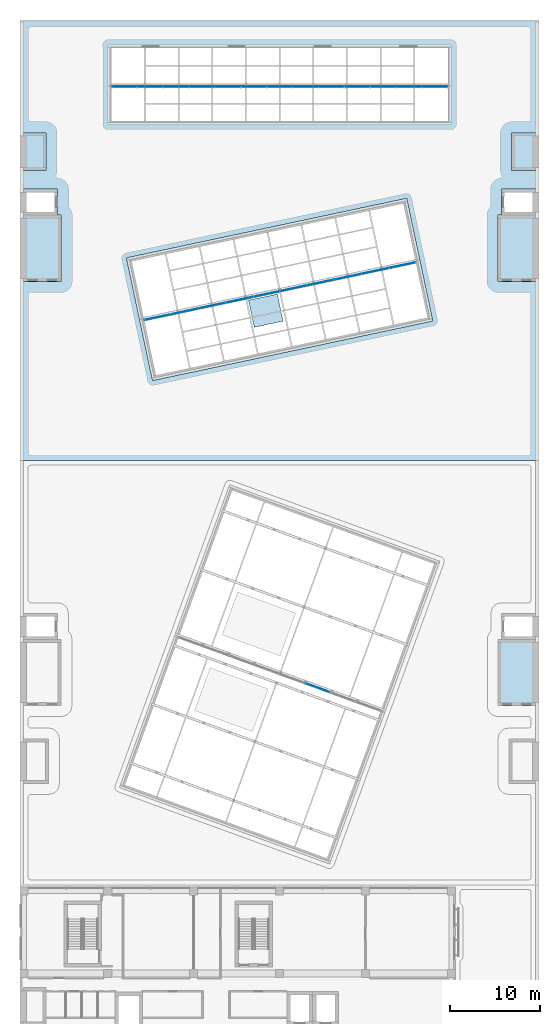
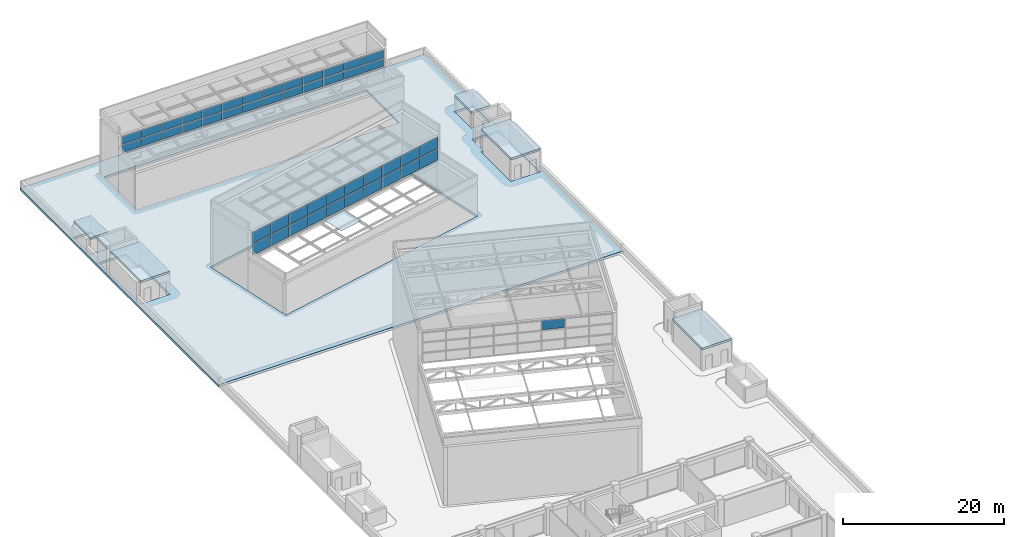
# One storey, part 57 of 72: 48 plates, 6 slabs, 3 elements without a shape of their own.
"""IFC4 building model written with IfcOpenShell, lengths in metres."""

from ifc_helpers import new_model, si_unit, direction, frame, origin, origin_2d, place, context, subcontext, project, spatial, polyline, rectangle, outline, extrude, material, layer, layer_set, type_object, element, aggregate, save


model = new_model("IFC4")

# Units and contexts
model_context = context("Model", 3, precision=1e-05, world=origin(), true_north=direction((0.0, 1.0)))
body_context = subcontext(model_context, "Body", "Model", "MODEL_VIEW")
ifc_project = project(units=[si_unit("LENGTHUNIT", "METRE"), si_unit("AREAUNIT", "SQUARE_METRE"), si_unit("VOLUMEUNIT", "CUBIC_METRE"), si_unit("PLANEANGLEUNIT", "RADIAN"), si_unit("MASSUNIT", "GRAM", prefix="KILO")], contexts=[model_context])

# Site, building, storey
site_placement = place(None, origin())
site = spatial("IfcSite", under=ifc_project, at=site_placement, CompositionType="ELEMENT")
building_placement = place(site_placement, origin())
building = spatial("IfcBuilding", under=site, at=building_placement, Name="Nzadi Deep Aquarium and Research Tower", CompositionType="ELEMENT")
storey_placement = place(building_placement, frame((0.0, 0.0, 31.89990234375)))
storey = spatial("IfcBuildingStorey", under=building, at=storey_placement, Name="L05", CompositionType="ELEMENT", Elevation=31.89990234375)

# Curtain wall, plate
ifc_material_1 = material(Name="Aluminium glazing frame tall", Category="aluminium")
ifc_layer_1 = layer(ifc_material_1, 0.199951171875)
ifc_layer_set_1 = layer_set([ifc_layer_1], Name="Aluminium glazing frame tall")
curtain_wall_type = type_object("IfcCurtainWallType", Name="Curtain wall Clerestory Tall 200", PredefinedType="NOTDEFINED", material=ifc_layer_set_1)
curtain_wall_1_placement = place(storey_placement, origin())
curtain_wall_1 = element("IfcCurtainWall", 1, at=curtain_wall_1_placement, inside=storey, type_object=curtain_wall_type, Name="Prism clerestory glazing", PredefinedType="NOTDEFINED")
ifc_material_2 = material(Name="Glass, clear low-iron", Category="glass")
ifc_layer_2 = layer(ifc_material_2, 0.035888671875)
ifc_layer_set_2 = layer_set([ifc_layer_2], Name="Glass, clear low-iron")
plate_type_1 = type_object("IfcPlateType", Name="Glazing panel 36 Clerestory Tall", PredefinedType="CURTAIN_PANEL", material=ifc_layer_set_2)
plate_1_placement = place(storey_placement, frame((33.045654296875, 68.7080078125, 12.29296875), z_axis=(0.0, 0.0, 1.0), x_axis=(0.939692620786, -0.342020143326, 0.0)))
plate_1 = element("IfcPlate", 2, at=plate_1_placement, type_object=plate_type_1, Name="CW257 panel 6.3", PredefinedType="CURTAIN_PANEL", context=body_context, shape_type="SweptSolid", body=[
    extrude(rectangle(XDim=2.919921875, YDim=0.035888671875, at=origin_2d()), origin(), (0.0, 0.0, 1.0), 1.386962890625),
])
aggregate(curtain_wall_1, [plate_1])

# Curtain wall, plates
curtain_wall_2_placement = place(storey_placement, origin())
curtain_wall_2 = element("IfcCurtainWall", 3, at=curtain_wall_2_placement, inside=storey, type_object=curtain_wall_type, Name="Reef blade clerestory glazing", PredefinedType="NOTDEFINED")
plate_2_placement = place(storey_placement, frame((15.216064453125, 110.108154296875, 5.22021484375), z_axis=(0.0, 0.0, 1.0), x_axis=(0.978147600734, 0.207911690818, 0.0)))
plate_2 = element("IfcPlate", 4, at=plate_2_placement, type_object=plate_type_1, Name="CW258 panel 1.1", PredefinedType="CURTAIN_PANEL", context=body_context, shape_type="SweptSolid", body=[
    extrude(rectangle(XDim=2.97998046875, YDim=0.035888671875, at=origin_2d()), origin(), (0.0, 0.0, 1.0), 1.669921875),
])
plate_3_placement = place(storey_placement, frame((15.216064453125, 110.108154296875, 7.01025390625), z_axis=(0.0, 0.0, 1.0), x_axis=(0.978147600734, 0.207911690818, 0.0)))
plate_3 = element("IfcPlate", 5, at=plate_3_placement, type_object=plate_type_1, Name="CW258 panel 1.2", PredefinedType="CURTAIN_PANEL", context=body_context, shape_type="SweptSolid", body=[
    extrude(rectangle(XDim=2.97998046875, YDim=0.035888671875, at=origin_2d()), origin(), (0.0, 0.0, 1.0), 1.669921875),
])
plate_4_placement = place(storey_placement, frame((18.228759765625, 110.74853515625, 5.22021484375), z_axis=(0.0, 0.0, 1.0), x_axis=(0.978147600734, 0.207911690818, 0.0)))
plate_4 = element("IfcPlate", 6, at=plate_4_placement, type_object=plate_type_1, Name="CW258 panel 2.1", PredefinedType="CURTAIN_PANEL", context=body_context, shape_type="SweptSolid", body=[
    extrude(rectangle(XDim=3.02001953125, YDim=0.035888671875, at=origin_2d()), origin(), (0.0, 0.0, 1.0), 1.669921875),
])
plate_5_placement = place(storey_placement, frame((18.228759765625, 110.74853515625, 7.01025390625), z_axis=(0.0, 0.0, 1.0), x_axis=(0.978147600734, 0.207911690818, 0.0)))
plate_5 = element("IfcPlate", 7, at=plate_5_placement, type_object=plate_type_1, Name="CW258 panel 2.2", PredefinedType="CURTAIN_PANEL", context=body_context, shape_type="SweptSolid", body=[
    extrude(rectangle(XDim=3.02001953125, YDim=0.035888671875, at=origin_2d()), origin(), (0.0, 0.0, 1.0), 1.669921875),
])
plate_6_placement = place(storey_placement, frame((21.260986328125, 111.39306640625, 5.22021484375), z_axis=(0.0, 0.0, 1.0), x_axis=(0.978147600734, 0.207911690818, 0.0)))
plate_6 = element("IfcPlate", 8, at=plate_6_placement, type_object=plate_type_1, Name="CW258 panel 3.1", PredefinedType="CURTAIN_PANEL", context=body_context, shape_type="SweptSolid", body=[
    extrude(rectangle(XDim=3.02001953125, YDim=0.035888671875, at=origin_2d()), origin(), (0.0, 0.0, 1.0), 1.669921875),
])
plate_7_placement = place(storey_placement, frame((21.260986328125, 111.39306640625, 7.01025390625), z_axis=(0.0, 0.0, 1.0), x_axis=(0.978147600734, 0.207911690818, 0.0)))
plate_7 = element("IfcPlate", 9, at=plate_7_placement, type_object=plate_type_1, Name="CW258 panel 3.2", PredefinedType="CURTAIN_PANEL", context=body_context, shape_type="SweptSolid", body=[
    extrude(rectangle(XDim=3.02001953125, YDim=0.035888671875, at=origin_2d()), origin(), (0.0, 0.0, 1.0), 1.669921875),
])
plate_8_placement = place(storey_placement, frame((24.293212890625, 112.03759765625, 5.22021484375), z_axis=(0.0, 0.0, 1.0), x_axis=(0.978147600734, 0.207911690818, 0.0)))
plate_8 = element("IfcPlate", 10, at=plate_8_placement, type_object=plate_type_1, Name="CW258 panel 4.1", PredefinedType="CURTAIN_PANEL", context=body_context, shape_type="SweptSolid", body=[
    extrude(rectangle(XDim=3.02001953125, YDim=0.035888671875, at=origin_2d()), origin(), (0.0, 0.0, 1.0), 1.669921875),
])
plate_9_placement = place(storey_placement, frame((24.293212890625, 112.03759765625, 7.01025390625), z_axis=(0.0, 0.0, 1.0), x_axis=(0.978147600734, 0.207911690818, 0.0)))
plate_9 = element("IfcPlate", 11, at=plate_9_placement, type_object=plate_type_1, Name="CW258 panel 4.2", PredefinedType="CURTAIN_PANEL", context=body_context, shape_type="SweptSolid", body=[
    extrude(rectangle(XDim=3.02001953125, YDim=0.035888671875, at=origin_2d()), origin(), (0.0, 0.0, 1.0), 1.669921875),
])
plate_10_placement = place(storey_placement, frame((27.325439453125, 112.68212890625, 5.22021484375), z_axis=(0.0, 0.0, 1.0), x_axis=(0.978147600734, 0.207911690818, 0.0)))
plate_10 = element("IfcPlate", 12, at=plate_10_placement, type_object=plate_type_1, Name="CW258 panel 5.1", PredefinedType="CURTAIN_PANEL", context=body_context, shape_type="SweptSolid", body=[
    extrude(rectangle(XDim=3.02001953125, YDim=0.035888671875, at=origin_2d()), origin(), (0.0, 0.0, 1.0), 1.669921875),
])
plate_11_placement = place(storey_placement, frame((27.325439453125, 112.68212890625, 7.01025390625), z_axis=(0.0, 0.0, 1.0), x_axis=(0.978147600734, 0.207911690818, 0.0)))
plate_11 = element("IfcPlate", 13, at=plate_11_placement, type_object=plate_type_1, Name="CW258 panel 5.2", PredefinedType="CURTAIN_PANEL", context=body_context, shape_type="SweptSolid", body=[
    extrude(rectangle(XDim=3.02001953125, YDim=0.035888671875, at=origin_2d()), origin(), (0.0, 0.0, 1.0), 1.669921875),
])
plate_12_placement = place(storey_placement, frame((30.357666015625, 113.32666015625, 5.22021484375), z_axis=(0.0, 0.0, 1.0), x_axis=(0.978147600734, 0.207911690818, 0.0)))
plate_12 = element("IfcPlate", 14, at=plate_12_placement, type_object=plate_type_1, Name="CW258 panel 6.1", PredefinedType="CURTAIN_PANEL", context=body_context, shape_type="SweptSolid", body=[
    extrude(rectangle(XDim=3.02001953125, YDim=0.035888671875, at=origin_2d()), origin(), (0.0, 0.0, 1.0), 1.669921875),
])
plate_13_placement = place(storey_placement, frame((30.357666015625, 113.32666015625, 7.01025390625), z_axis=(0.0, 0.0, 1.0), x_axis=(0.978147600734, 0.207911690818, 0.0)))
plate_13 = element("IfcPlate", 15, at=plate_13_placement, type_object=plate_type_1, Name="CW258 panel 6.2", PredefinedType="CURTAIN_PANEL", context=body_context, shape_type="SweptSolid", body=[
    extrude(rectangle(XDim=3.02001953125, YDim=0.035888671875, at=origin_2d()), origin(), (0.0, 0.0, 1.0), 1.669921875),
])
plate_14_placement = place(storey_placement, frame((33.389892578125, 113.97119140625, 5.22021484375), z_axis=(0.0, 0.0, 1.0), x_axis=(0.978147600734, 0.207911690818, 0.0)))
plate_14 = element("IfcPlate", 16, at=plate_14_placement, type_object=plate_type_1, Name="CW258 panel 7.1", PredefinedType="CURTAIN_PANEL", context=body_context, shape_type="SweptSolid", body=[
    extrude(rectangle(XDim=3.02001953125, YDim=0.035888671875, at=origin_2d()), origin(), (0.0, 0.0, 1.0), 1.669921875),
])
plate_15_placement = place(storey_placement, frame((33.389892578125, 113.97119140625, 7.01025390625), z_axis=(0.0, 0.0, 1.0), x_axis=(0.978147600734, 0.207911690818, 0.0)))
plate_15 = element("IfcPlate", 17, at=plate_15_placement, type_object=plate_type_1, Name="CW258 panel 7.2", PredefinedType="CURTAIN_PANEL", context=body_context, shape_type="SweptSolid", body=[
    extrude(rectangle(XDim=3.02001953125, YDim=0.035888671875, at=origin_2d()), origin(), (0.0, 0.0, 1.0), 1.669921875),
])
plate_16_placement = place(storey_placement, frame((36.422119140625, 114.61572265625, 5.22021484375), z_axis=(0.0, 0.0, 1.0), x_axis=(0.978147600734, 0.207911690818, 0.0)))
plate_16 = element("IfcPlate", 18, at=plate_16_placement, type_object=plate_type_1, Name="CW258 panel 8.1", PredefinedType="CURTAIN_PANEL", context=body_context, shape_type="SweptSolid", body=[
    extrude(rectangle(XDim=3.02001953125, YDim=0.035888671875, at=origin_2d()), origin(), (0.0, 0.0, 1.0), 1.669921875),
])
plate_17_placement = place(storey_placement, frame((36.422119140625, 114.61572265625, 7.01025390625), z_axis=(0.0, 0.0, 1.0), x_axis=(0.978147600734, 0.207911690818, 0.0)))
plate_17 = element("IfcPlate", 19, at=plate_17_placement, type_object=plate_type_1, Name="CW258 panel 8.2", PredefinedType="CURTAIN_PANEL", context=body_context, shape_type="SweptSolid", body=[
    extrude(rectangle(XDim=3.02001953125, YDim=0.035888671875, at=origin_2d()), origin(), (0.0, 0.0, 1.0), 1.669921875),
])
plate_18_placement = place(storey_placement, frame((39.45458984375, 115.26025390625, 5.22021484375), z_axis=(0.0, 0.0, 1.0), x_axis=(0.978147600734, 0.207911690818, 0.0)))
plate_18 = element("IfcPlate", 20, at=plate_18_placement, type_object=plate_type_1, Name="CW258 panel 9.1", PredefinedType="CURTAIN_PANEL", context=body_context, shape_type="SweptSolid", body=[
    extrude(rectangle(XDim=3.02001953125, YDim=0.035888671875, at=origin_2d()), origin(), (0.0, 0.0, 1.0), 1.669921875),
])
plate_19_placement = place(storey_placement, frame((39.45458984375, 115.26025390625, 7.01025390625), z_axis=(0.0, 0.0, 1.0), x_axis=(0.978147600734, 0.207911690818, 0.0)))
plate_19 = element("IfcPlate", 21, at=plate_19_placement, type_object=plate_type_1, Name="CW258 panel 9.2", PredefinedType="CURTAIN_PANEL", context=body_context, shape_type="SweptSolid", body=[
    extrude(rectangle(XDim=3.02001953125, YDim=0.035888671875, at=origin_2d()), origin(), (0.0, 0.0, 1.0), 1.669921875),
])
plate_20_placement = place(storey_placement, frame((42.46728515625, 115.900634765625, 5.22021484375), z_axis=(0.0, 0.0, 1.0), x_axis=(0.978147600734, 0.207911690818, 0.0)))
plate_20 = element("IfcPlate", 22, at=plate_20_placement, type_object=plate_type_1, Name="CW258 panel 10.1", PredefinedType="CURTAIN_PANEL", context=body_context, shape_type="SweptSolid", body=[
    extrude(rectangle(XDim=2.97998046875, YDim=0.035888671875, at=origin_2d()), origin(), (0.0, 0.0, 1.0), 1.669921875),
])
plate_21_placement = place(storey_placement, frame((42.46728515625, 115.900634765625, 7.01025390625), z_axis=(0.0, 0.0, 1.0), x_axis=(0.978147600734, 0.207911690818, 0.0)))
plate_21 = element("IfcPlate", 23, at=plate_21_placement, type_object=plate_type_1, Name="CW258 panel 10.2", PredefinedType="CURTAIN_PANEL", context=body_context, shape_type="SweptSolid", body=[
    extrude(rectangle(XDim=2.97998046875, YDim=0.035888671875, at=origin_2d()), origin(), (0.0, 0.0, 1.0), 1.669921875),
])
aggregate(curtain_wall_2, [plate_2, plate_3, plate_4, plate_5, plate_6, plate_7, plate_8, plate_9, plate_10, plate_11, plate_12, plate_13, plate_14, plate_15, plate_16, plate_17, plate_18, plate_19, plate_20, plate_21])

curtain_wall_3_placement = place(storey_placement, origin())
curtain_wall_3 = element("IfcCurtainWall", 24, at=curtain_wall_3_placement, inside=storey, type_object=curtain_wall_type, Name="Events hall clerestory glazing", PredefinedType="NOTDEFINED")
plate_22_placement = place(storey_placement, frame((11.466064453125, 135.860107421875, 6.22021484375), z_axis=(0.0, 0.0, 1.0), x_axis=(1.0, 0.0, 0.0)))
plate_22 = element("IfcPlate", 25, at=plate_22_placement, type_object=plate_type_1, Name="CW259 panel 1.1", PredefinedType="CURTAIN_PANEL", context=body_context, shape_type="SweptSolid", body=[
    extrude(rectangle(XDim=2.772216796875, YDim=0.035888671875, at=origin_2d()), origin(), (0.0, 0.0, 1.0), 1.169921875),
])
plate_23_placement = place(storey_placement, frame((11.466064453125, 135.860107421875, 7.51025390625), z_axis=(0.0, 0.0, 1.0), x_axis=(1.0, 0.0, 0.0)))
plate_23 = element("IfcPlate", 26, at=plate_23_placement, type_object=plate_type_1, Name="CW259 panel 1.2", PredefinedType="CURTAIN_PANEL", context=body_context, shape_type="SweptSolid", body=[
    extrude(rectangle(XDim=2.772216796875, YDim=0.035888671875, at=origin_2d()), origin(), (0.0, 0.0, 1.0), 1.169921875),
])
plate_24_placement = place(storey_placement, frame((14.33837890625, 135.860107421875, 6.22021484375), z_axis=(0.0, 0.0, 1.0), x_axis=(1.0, 0.0, 0.0)))
plate_24 = element("IfcPlate", 27, at=plate_24_placement, type_object=plate_type_1, Name="CW259 panel 2.1", PredefinedType="CURTAIN_PANEL", context=body_context, shape_type="SweptSolid", body=[
    extrude(rectangle(XDim=2.812255859375, YDim=0.035888671875, at=origin_2d()), origin(), (0.0, 0.0, 1.0), 1.169921875),
])
plate_25_placement = place(storey_placement, frame((14.33837890625, 135.860107421875, 7.51025390625), z_axis=(0.0, 0.0, 1.0), x_axis=(1.0, 0.0, 0.0)))
plate_25 = element("IfcPlate", 28, at=plate_25_placement, type_object=plate_type_1, Name="CW259 panel 2.2", PredefinedType="CURTAIN_PANEL", context=body_context, shape_type="SweptSolid", body=[
    extrude(rectangle(XDim=2.812255859375, YDim=0.035888671875, at=origin_2d()), origin(), (0.0, 0.0, 1.0), 1.169921875),
])
plate_26_placement = place(storey_placement, frame((17.230712890625, 135.860107421875, 6.22021484375), z_axis=(0.0, 0.0, 1.0), x_axis=(1.0, 0.0, 0.0)))
plate_26 = element("IfcPlate", 29, at=plate_26_placement, type_object=plate_type_1, Name="CW259 panel 3.1", PredefinedType="CURTAIN_PANEL", context=body_context, shape_type="SweptSolid", body=[
    extrude(rectangle(XDim=2.812255859375, YDim=0.035888671875, at=origin_2d()), origin(), (0.0, 0.0, 1.0), 1.169921875),
])
plate_27_placement = place(storey_placement, frame((17.230712890625, 135.860107421875, 7.51025390625), z_axis=(0.0, 0.0, 1.0), x_axis=(1.0, 0.0, 0.0)))
plate_27 = element("IfcPlate", 30, at=plate_27_placement, type_object=plate_type_1, Name="CW259 panel 3.2", PredefinedType="CURTAIN_PANEL", context=body_context, shape_type="SweptSolid", body=[
    extrude(rectangle(XDim=2.812255859375, YDim=0.035888671875, at=origin_2d()), origin(), (0.0, 0.0, 1.0), 1.169921875),
])
plate_28_placement = place(storey_placement, frame((20.123046875, 135.860107421875, 6.22021484375), z_axis=(0.0, 0.0, 1.0), x_axis=(1.0, 0.0, 0.0)))
plate_28 = element("IfcPlate", 31, at=plate_28_placement, type_object=plate_type_1, Name="CW259 panel 4.1", PredefinedType="CURTAIN_PANEL", context=body_context, shape_type="SweptSolid", body=[
    extrude(rectangle(XDim=2.812255859375, YDim=0.035888671875, at=origin_2d()), origin(), (0.0, 0.0, 1.0), 1.169921875),
])
plate_29_placement = place(storey_placement, frame((20.123046875, 135.860107421875, 7.51025390625), z_axis=(0.0, 0.0, 1.0), x_axis=(1.0, 0.0, 0.0)))
plate_29 = element("IfcPlate", 32, at=plate_29_placement, type_object=plate_type_1, Name="CW259 panel 4.2", PredefinedType="CURTAIN_PANEL", context=body_context, shape_type="SweptSolid", body=[
    extrude(rectangle(XDim=2.812255859375, YDim=0.035888671875, at=origin_2d()), origin(), (0.0, 0.0, 1.0), 1.169921875),
])
plate_30_placement = place(storey_placement, frame((23.015380859375, 135.860107421875, 6.22021484375), z_axis=(0.0, 0.0, 1.0), x_axis=(1.0, 0.0, 0.0)))
plate_30 = element("IfcPlate", 33, at=plate_30_placement, type_object=plate_type_1, Name="CW259 panel 5.1", PredefinedType="CURTAIN_PANEL", context=body_context, shape_type="SweptSolid", body=[
    extrude(rectangle(XDim=2.812255859375, YDim=0.035888671875, at=origin_2d()), origin(), (0.0, 0.0, 1.0), 1.169921875),
])
plate_31_placement = place(storey_placement, frame((23.015380859375, 135.860107421875, 7.51025390625), z_axis=(0.0, 0.0, 1.0), x_axis=(1.0, 0.0, 0.0)))
plate_31 = element("IfcPlate", 34, at=plate_31_placement, type_object=plate_type_1, Name="CW259 panel 5.2", PredefinedType="CURTAIN_PANEL", context=body_context, shape_type="SweptSolid", body=[
    extrude(rectangle(XDim=2.812255859375, YDim=0.035888671875, at=origin_2d()), origin(), (0.0, 0.0, 1.0), 1.169921875),
])
plate_32_placement = place(storey_placement, frame((25.90771484375, 135.860107421875, 6.22021484375), z_axis=(0.0, 0.0, 1.0), x_axis=(1.0, 0.0, 0.0)))
plate_32 = element("IfcPlate", 35, at=plate_32_placement, type_object=plate_type_1, Name="CW259 panel 6.1", PredefinedType="CURTAIN_PANEL", context=body_context, shape_type="SweptSolid", body=[
    extrude(rectangle(XDim=2.812255859375, YDim=0.035888671875, at=origin_2d()), origin(), (0.0, 0.0, 1.0), 1.169921875),
])
plate_33_placement = place(storey_placement, frame((25.90771484375, 135.860107421875, 7.51025390625), z_axis=(0.0, 0.0, 1.0), x_axis=(1.0, 0.0, 0.0)))
plate_33 = element("IfcPlate", 36, at=plate_33_placement, type_object=plate_type_1, Name="CW259 panel 6.2", PredefinedType="CURTAIN_PANEL", context=body_context, shape_type="SweptSolid", body=[
    extrude(rectangle(XDim=2.812255859375, YDim=0.035888671875, at=origin_2d()), origin(), (0.0, 0.0, 1.0), 1.169921875),
])
plate_34_placement = place(storey_placement, frame((28.800048828125, 135.860107421875, 6.22021484375), z_axis=(0.0, 0.0, 1.0), x_axis=(1.0, 0.0, 0.0)))
plate_34 = element("IfcPlate", 37, at=plate_34_placement, type_object=plate_type_1, Name="CW259 panel 7.1", PredefinedType="CURTAIN_PANEL", context=body_context, shape_type="SweptSolid", body=[
    extrude(rectangle(XDim=2.812255859375, YDim=0.035888671875, at=origin_2d()), origin(), (0.0, 0.0, 1.0), 1.169921875),
])
plate_35_placement = place(storey_placement, frame((28.800048828125, 135.860107421875, 7.51025390625), z_axis=(0.0, 0.0, 1.0), x_axis=(1.0, 0.0, 0.0)))
plate_35 = element("IfcPlate", 38, at=plate_35_placement, type_object=plate_type_1, Name="CW259 panel 7.2", PredefinedType="CURTAIN_PANEL", context=body_context, shape_type="SweptSolid", body=[
    extrude(rectangle(XDim=2.812255859375, YDim=0.035888671875, at=origin_2d()), origin(), (0.0, 0.0, 1.0), 1.169921875),
])
plate_36_placement = place(storey_placement, frame((31.6923828125, 135.860107421875, 6.22021484375), z_axis=(0.0, 0.0, 1.0), x_axis=(1.0, 0.0, 0.0)))
plate_36 = element("IfcPlate", 39, at=plate_36_placement, type_object=plate_type_1, Name="CW259 panel 8.1", PredefinedType="CURTAIN_PANEL", context=body_context, shape_type="SweptSolid", body=[
    extrude(rectangle(XDim=2.812255859375, YDim=0.035888671875, at=origin_2d()), origin(), (0.0, 0.0, 1.0), 1.169921875),
])
plate_37_placement = place(storey_placement, frame((31.6923828125, 135.860107421875, 7.51025390625), z_axis=(0.0, 0.0, 1.0), x_axis=(1.0, 0.0, 0.0)))
plate_37 = element("IfcPlate", 40, at=plate_37_placement, type_object=plate_type_1, Name="CW259 panel 8.2", PredefinedType="CURTAIN_PANEL", context=body_context, shape_type="SweptSolid", body=[
    extrude(rectangle(XDim=2.812255859375, YDim=0.035888671875, at=origin_2d()), origin(), (0.0, 0.0, 1.0), 1.169921875),
])
plate_38_placement = place(storey_placement, frame((34.584716796875, 135.860107421875, 6.22021484375), z_axis=(0.0, 0.0, 1.0), x_axis=(1.0, 0.0, 0.0)))
plate_38 = element("IfcPlate", 41, at=plate_38_placement, type_object=plate_type_1, Name="CW259 panel 9.1", PredefinedType="CURTAIN_PANEL", context=body_context, shape_type="SweptSolid", body=[
    extrude(rectangle(XDim=2.812255859375, YDim=0.035888671875, at=origin_2d()), origin(), (0.0, 0.0, 1.0), 1.169921875),
])
plate_39_placement = place(storey_placement, frame((34.584716796875, 135.860107421875, 7.51025390625), z_axis=(0.0, 0.0, 1.0), x_axis=(1.0, 0.0, 0.0)))
plate_39 = element("IfcPlate", 42, at=plate_39_placement, type_object=plate_type_1, Name="CW259 panel 9.2", PredefinedType="CURTAIN_PANEL", context=body_context, shape_type="SweptSolid", body=[
    extrude(rectangle(XDim=2.812255859375, YDim=0.035888671875, at=origin_2d()), origin(), (0.0, 0.0, 1.0), 1.169921875),
])
plate_40_placement = place(storey_placement, frame((37.476806640625, 135.860107421875, 6.22021484375), z_axis=(0.0, 0.0, 1.0), x_axis=(1.0, 0.0, 0.0)))
plate_40 = element("IfcPlate", 43, at=plate_40_placement, type_object=plate_type_1, Name="CW259 panel 10.1", PredefinedType="CURTAIN_PANEL", context=body_context, shape_type="SweptSolid", body=[
    extrude(rectangle(XDim=2.812255859375, YDim=0.035888671875, at=origin_2d()), origin(), (0.0, 0.0, 1.0), 1.169921875),
])
plate_41_placement = place(storey_placement, frame((37.476806640625, 135.860107421875, 7.51025390625), z_axis=(0.0, 0.0, 1.0), x_axis=(1.0, 0.0, 0.0)))
plate_41 = element("IfcPlate", 44, at=plate_41_placement, type_object=plate_type_1, Name="CW259 panel 10.2", PredefinedType="CURTAIN_PANEL", context=body_context, shape_type="SweptSolid", body=[
    extrude(rectangle(XDim=2.812255859375, YDim=0.035888671875, at=origin_2d()), origin(), (0.0, 0.0, 1.0), 1.169921875),
])
plate_42_placement = place(storey_placement, frame((40.369140625, 135.860107421875, 6.22021484375), z_axis=(0.0, 0.0, 1.0), x_axis=(1.0, 0.0, 0.0)))
plate_42 = element("IfcPlate", 45, at=plate_42_placement, type_object=plate_type_1, Name="CW259 panel 11.1", PredefinedType="CURTAIN_PANEL", context=body_context, shape_type="SweptSolid", body=[
    extrude(rectangle(XDim=2.812255859375, YDim=0.035888671875, at=origin_2d()), origin(), (0.0, 0.0, 1.0), 1.169921875),
])
plate_43_placement = place(storey_placement, frame((40.369140625, 135.860107421875, 7.51025390625), z_axis=(0.0, 0.0, 1.0), x_axis=(1.0, 0.0, 0.0)))
plate_43 = element("IfcPlate", 46, at=plate_43_placement, type_object=plate_type_1, Name="CW259 panel 11.2", PredefinedType="CURTAIN_PANEL", context=body_context, shape_type="SweptSolid", body=[
    extrude(rectangle(XDim=2.812255859375, YDim=0.035888671875, at=origin_2d()), origin(), (0.0, 0.0, 1.0), 1.169921875),
])
plate_44_placement = place(storey_placement, frame((43.261474609375, 135.860107421875, 6.22021484375), z_axis=(0.0, 0.0, 1.0), x_axis=(1.0, 0.0, 0.0)))
plate_44 = element("IfcPlate", 47, at=plate_44_placement, type_object=plate_type_1, Name="CW259 panel 12.1", PredefinedType="CURTAIN_PANEL", context=body_context, shape_type="SweptSolid", body=[
    extrude(rectangle(XDim=2.812255859375, YDim=0.035888671875, at=origin_2d()), origin(), (0.0, 0.0, 1.0), 1.169921875),
])
plate_45_placement = place(storey_placement, frame((43.261474609375, 135.860107421875, 7.51025390625), z_axis=(0.0, 0.0, 1.0), x_axis=(1.0, 0.0, 0.0)))
plate_45 = element("IfcPlate", 48, at=plate_45_placement, type_object=plate_type_1, Name="CW259 panel 12.2", PredefinedType="CURTAIN_PANEL", context=body_context, shape_type="SweptSolid", body=[
    extrude(rectangle(XDim=2.812255859375, YDim=0.035888671875, at=origin_2d()), origin(), (0.0, 0.0, 1.0), 1.169921875),
])
plate_46_placement = place(storey_placement, frame((46.1337890625, 135.860107421875, 6.22021484375), z_axis=(0.0, 0.0, 1.0), x_axis=(1.0, 0.0, 0.0)))
plate_46 = element("IfcPlate", 49, at=plate_46_placement, type_object=plate_type_1, Name="CW259 panel 13.1", PredefinedType="CURTAIN_PANEL", context=body_context, shape_type="SweptSolid", body=[
    extrude(rectangle(XDim=2.772216796875, YDim=0.035888671875, at=origin_2d()), origin(), (0.0, 0.0, 1.0), 1.169921875),
])
plate_47_placement = place(storey_placement, frame((46.1337890625, 135.860107421875, 7.51025390625), z_axis=(0.0, 0.0, 1.0), x_axis=(1.0, 0.0, 0.0)))
plate_47 = element("IfcPlate", 50, at=plate_47_placement, type_object=plate_type_1, Name="CW259 panel 13.2", PredefinedType="CURTAIN_PANEL", context=body_context, shape_type="SweptSolid", body=[
    extrude(rectangle(XDim=2.772216796875, YDim=0.035888671875, at=origin_2d()), origin(), (0.0, 0.0, 1.0), 1.169921875),
])
aggregate(curtain_wall_3, [plate_22, plate_23, plate_24, plate_25, plate_26, plate_27, plate_28, plate_29, plate_30, plate_31, plate_32, plate_33, plate_34, plate_35, plate_36, plate_37, plate_38, plate_39, plate_40, plate_41, plate_42, plate_43, plate_44, plate_45, plate_46, plate_47])

# Slabs
ifc_material_3 = material(Name="Concrete C35/45", Category="concrete")
ifc_layer_3 = layer(ifc_material_3, 0.300048828125)
ifc_layer_set_3 = layer_set([ifc_layer_3], Name="Concrete C35/45")
slab_type_1 = type_object("IfcSlabType", Name="Head slab 300", PredefinedType="ROOF", material=ifc_layer_set_3)
slab_1_placement = place(storey_placement, frame((0.0, 0.0, 3.2001953125)))
element("IfcSlab", 51, at=slab_1_placement, inside=storey, type_object=slab_type_1, Name="Head slab ST-Z2-E", PredefinedType="ROOF", context=body_context, shape_type="SweptSolid", body=[
    extrude(outline(polyline([(57.39990234375, 66.699951171875), (57.39990234375, 74.10009765625), (53.199951171875, 74.10009765625), (53.199951171875, 66.699951171875), (57.39990234375, 66.699951171875)])), origin(), (0.0, 0.0, 1.0), 0.2998046875),
])
slab_2_placement = place(storey_placement, frame((0.0, 0.0, 3.2001953125)))
element("IfcSlab", 52, at=slab_2_placement, inside=storey, type_object=slab_type_1, Name="Head slab ST-Z3-W", PredefinedType="ROOF", context=body_context, shape_type="SweptSolid", body=[
    extrude(outline(polyline([(4.39990234375, 114.10009765625), (4.39990234375, 121.5), (0.199951171875, 121.5), (0.199951171875, 114.10009765625), (4.39990234375, 114.10009765625)])), origin(), (0.0, 0.0, 1.0), 0.2998046875),
])
slab_3_placement = place(storey_placement, frame((0.0, 0.0, 3.2001953125)))
element("IfcSlab", 53, at=slab_3_placement, inside=storey, type_object=slab_type_1, Name="Head slab ST-Z3-E", PredefinedType="ROOF", context=body_context, shape_type="SweptSolid", body=[
    extrude(outline(polyline([(57.39990234375, 114.10009765625), (57.39990234375, 121.5), (53.199951171875, 121.5), (53.199951171875, 114.10009765625), (57.39990234375, 114.10009765625)])), origin(), (0.0, 0.0, 1.0), 0.2998046875),
])
slab_4_placement = place(storey_placement, frame((0.0, 0.0, 2.2001953125)))
element("IfcSlab", 54, at=slab_4_placement, inside=storey, type_object=slab_type_1, Name="Head slab RS-Z3-W", PredefinedType="ROOF", context=body_context, shape_type="SweptSolid", body=[
    extrude(outline(polyline([(2.699951171875, 126.5), (2.699951171875, 130.699951171875), (0.199951171875, 130.699951171875), (0.199951171875, 126.5), (2.699951171875, 126.5)])), origin(), (0.0, 0.0, 1.0), 0.2998046875),
])
slab_5_placement = place(storey_placement, frame((0.0, 0.0, 2.2001953125)))
element("IfcSlab", 55, at=slab_5_placement, inside=storey, type_object=slab_type_1, Name="Head slab RS-Z3-E", PredefinedType="ROOF", context=body_context, shape_type="SweptSolid", body=[
    extrude(outline(polyline([(57.39990234375, 126.5), (57.39990234375, 130.699951171875), (54.699951171875, 130.699951171875), (54.699951171875, 126.5), (57.39990234375, 126.5)])), origin(), (0.0, 0.0, 1.0), 0.2998046875),
])
ifc_material_4 = material(Name="Concrete C35/45", Category="concrete")
ifc_layer_4 = layer(ifc_material_4, 0.35009765625)
ifc_layer_set_4 = layer_set([ifc_layer_4], Name="Concrete C35/45")
slab_type_2 = type_object("IfcSlabType", Name="RC roof slab 350", PredefinedType="ROOF", material=ifc_layer_set_4)
slab_6_placement = place(storey_placement, frame((0.0, 0.0, -0.349853515625)))
element("IfcSlab", 56, at=slab_6_placement, inside=storey, type_object=slab_type_2, Name="Garden terrace slab Z3", PredefinedType="ROOF", context=body_context, shape_type="SweptSolid", body=[
    extrude(outline(polyline([(57.799560546875, 94.1201171875), (57.799560546875, 143.300048828125), (-0.199462890625, 143.300048828125), (-0.199462890625, 94.1201171875), (57.799560546875, 94.1201171875)]), holes=[polyline([(0.199951171875, 124.39990234375), (4.0, 124.39990234375), (4.0, 121.5), (4.39990234375, 121.5), (4.39990234375, 114.10009765625), (0.199951171875, 114.10009765625), (0.199951171875, 121.5), (0.199951171875, 124.39990234375)]), polyline([(53.60009765625, 124.39990234375), (57.39990234375, 124.39990234375), (57.39990234375, 121.5), (57.39990234375, 114.10009765625), (53.199951171875, 114.10009765625), (53.199951171875, 121.5), (53.60009765625, 121.5), (53.60009765625, 124.39990234375)]), polyline([(2.699951171875, 126.5), (0.199951171875, 126.5), (0.199951171875, 130.699951171875), (2.699951171875, 130.699951171875), (2.699951171875, 126.5)]), polyline([(54.699951171875, 126.5), (54.699951171875, 130.699951171875), (57.39990234375, 130.699951171875), (57.39990234375, 126.5), (54.699951171875, 126.5)]), polyline([(42.994873046875, 123.37353515625), (45.90576171875, 109.679443359375), (14.60498046875, 103.0263671875), (11.6943359375, 116.720458984375), (42.994873046875, 123.37353515625)]), polyline([(47.60009765625, 140.14990234375), (47.60009765625, 132.0), (10.0, 132.0), (10.0, 140.14990234375), (47.60009765625, 140.14990234375)])]), origin(), (0.0, 0.0, 1.0), 0.349853515625),
])

# Plate
ifc_material_5 = material(Name="Glass", Category="glass")
ifc_layer_5 = layer(ifc_material_5, 0.0400390625)
ifc_layer_set_5 = layer_set([ifc_layer_5], Name="Glass")
plate_type_2 = type_object("IfcPlateType", Name="Rooflight glass 40", PredefinedType="SHEET", material=ifc_layer_set_5)
plate_48_placement = place(storey_placement, frame((27.259521484375, 110.827880859375, 5.10009765625), z_axis=(0.0, 0.0, 1.0), x_axis=(0.978147600734, 0.207911690818, 0.0)))
element("IfcPlate", 57, at=plate_48_placement, inside=storey, type_object=plate_type_2, Name="PL-RL-B1", PredefinedType="SHEET", context=body_context, shape_type="SweptSolid", body=[
    extrude(rectangle(XDim=3.300048828125, YDim=3.10009765625, at=origin_2d()), origin(), (0.0, 0.0, 1.0), 0.0400390625),
])

save(model, "model.ifc")
